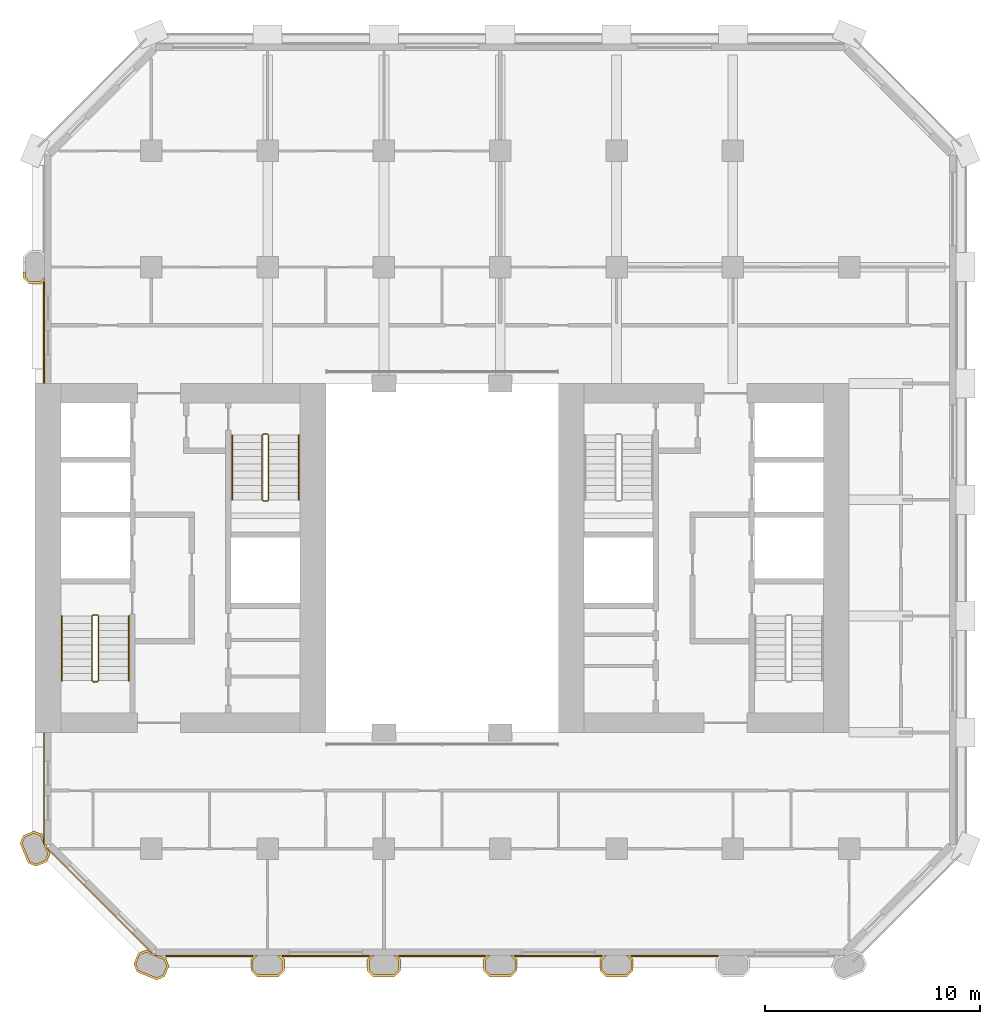
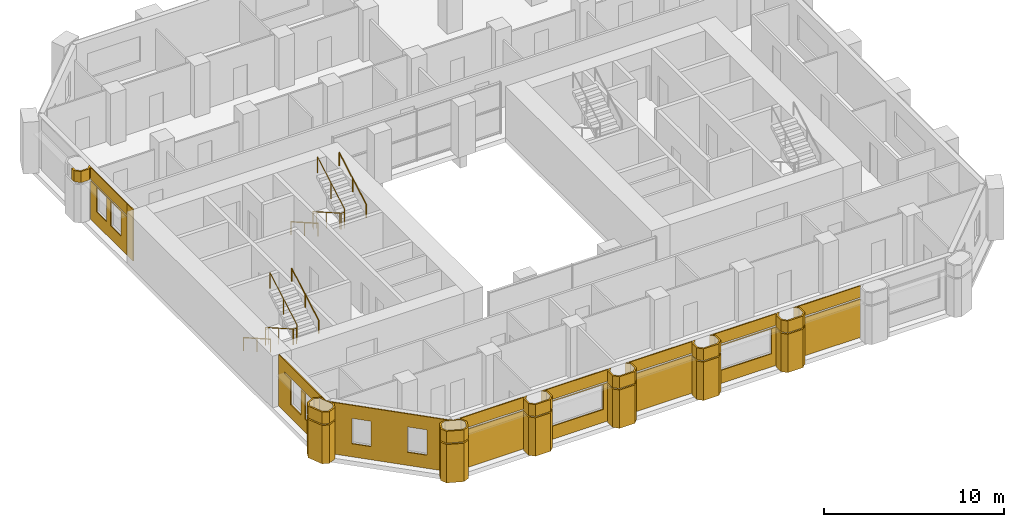
# One storey, part 9 of 11: 28 coverings, 6 railings.
"""IFC4 building model written with IfcOpenShell, lengths in metres."""

from ifc_helpers import new_model, si_unit, direction, frame, frame_2d, origin, origin_2d, place, context, subcontext, project, spatial, polyline, rectangle, circle, outline, extrude, material, layer, layer_set, type_object, element, save


model = new_model("IFC4")

# Units and contexts
model_context = context("Model", 3, precision=1e-05, world=origin(), true_north=direction((0.0, 1.0)))
body_context = subcontext(model_context, "Body", "Model", "MODEL_VIEW")
ifc_project = project(units=[si_unit("LENGTHUNIT", "METRE"), si_unit("AREAUNIT", "SQUARE_METRE"), si_unit("VOLUMEUNIT", "CUBIC_METRE"), si_unit("PLANEANGLEUNIT", "RADIAN"), si_unit("MASSUNIT", "GRAM", prefix="KILO")], contexts=[model_context])

# Site, building, storey
site_placement = place(None, origin())
site = spatial("IfcSite", under=ifc_project, at=site_placement, CompositionType="ELEMENT")
building_placement = place(site_placement, origin())
building = spatial("IfcBuilding", under=site, at=building_placement, Name="Tabaq Tower and Sports Hall", CompositionType="ELEMENT")
storey_placement = place(building_placement, frame((0.0, 0.0, 91.60009765625)))
storey = spatial("IfcBuildingStorey", under=building, at=storey_placement, Name="L21", CompositionType="ELEMENT", Elevation=91.60009765625)

# Coverings
ifc_material_1 = material(Name="Precast concrete C60/75", Category="concrete")
ifc_layer_1 = layer(ifc_material_1, 0.10009765625)
ifc_layer_set_1 = layer_set([ifc_layer_1], Name="Column cladding 100")
covering_type_1 = type_object("IfcCoveringType", Name="Column cladding 100", PredefinedType="CLADDING", material=ifc_layer_set_1)
covering_1_placement = place(storey_placement, origin())
element("IfcCovering", 1, at=covering_1_placement, inside=storey, type_object=covering_type_1, Name="Column cladding L21 PC-2C-O2", PredefinedType="CLADDING", context=body_context, shape_type="SweptSolid", body=[
    extrude(outline(polyline([(5.450439453125, 9.982421875), (5.080078125, 10.1357421875), (4.7041015625, 11.04345703125), (4.857421875, 11.413818359375), (5.349609375, 11.61767578125), (5.7197265625, 11.46435546875), (5.789794921875, 11.295654296875), (5.789794921875, 11.04296875), (5.849609375, 11.04296875), (5.849609375, 10.986083984375), (5.91796875, 10.986083984375), (5.9814453125, 10.83251953125), (5.9501953125, 10.801025390625), (6.026123046875, 10.72509765625), (6.095947265625, 10.556396484375), (5.9423828125, 10.186279296875), (5.450439453125, 9.982421875)]), holes=[polyline([(5.349609375, 11.510009765625), (4.93359375, 11.337646484375), (4.811767578125, 11.04345703125), (5.15625, 10.2119140625), (5.450439453125, 10.08984375), (5.866455078125, 10.26220703125), (5.98828125, 10.556396484375), (5.643798828125, 11.38818359375), (5.349609375, 11.510009765625)])]), origin(), (0.0, 0.0, 1.0), 2.599853515625),
])
covering_2_placement = place(storey_placement, frame((0.0, 0.0, 2.699951171875)))
element("IfcCovering", 2, at=covering_2_placement, inside=storey, type_object=covering_type_1, Name="Column cladding L21 PC-2C-O2 2", PredefinedType="CLADDING", context=body_context, shape_type="SweptSolid", body=[
    extrude(outline(polyline([(5.450439453125, 9.982421875), (5.080078125, 10.1357421875), (4.7041015625, 11.04345703125), (4.857421875, 11.413818359375), (5.349609375, 11.61767578125), (5.7197265625, 11.46435546875), (5.789794921875, 11.295654296875), (5.789794921875, 11.04296875), (5.849609375, 11.04296875), (5.849609375, 10.986083984375), (5.91796875, 10.986083984375), (5.9814453125, 10.83251953125), (5.9501953125, 10.801025390625), (6.026123046875, 10.72509765625), (6.095947265625, 10.556396484375), (5.9423828125, 10.186279296875), (5.450439453125, 9.982421875)]), holes=[polyline([(5.349609375, 11.510009765625), (4.93359375, 11.337646484375), (4.811767578125, 11.04345703125), (5.15625, 10.2119140625), (5.450439453125, 10.08984375), (5.866455078125, 10.26220703125), (5.98828125, 10.556396484375), (5.643798828125, 11.38818359375), (5.349609375, 11.510009765625)])]), origin(), (0.0, 0.0, 1.0), 0.800048828125),
])
covering_3_placement = place(storey_placement, frame((0.0, 0.0, 2.75)))
element("IfcCovering", 3, at=covering_3_placement, inside=storey, type_object=covering_type_1, Name="Column cladding L21 PC-2H-O2 head", PredefinedType="CLADDING", context=body_context, shape_type="SweptSolid", body=[
    extrude(outline(polyline([(4.850341796875, 37.30859375), (4.850341796875, 37.57470703125), (4.94970703125, 37.57470703125), (4.94970703125, 37.349853515625), (5.1748046875, 37.124755859375), (5.625244140625, 37.124755859375), (5.849609375, 37.349365234375), (5.849609375, 37.208740234375), (5.666259765625, 37.025390625), (5.1337890625, 37.025390625), (4.850341796875, 37.30859375)])), origin(), (0.0, 0.0, 1.0), 0.75),
])
covering_4_placement = place(storey_placement, origin())
element("IfcCovering", 4, at=covering_4_placement, inside=storey, type_object=covering_type_1, Name="Column cladding L21 PC-3B-O2", PredefinedType="CLADDING", context=body_context, shape_type="SweptSolid", body=[
    extrude(outline(polyline([(11.413818359375, 4.857421875), (11.04345703125, 4.7041015625), (10.1357421875, 5.080078125), (9.982421875, 5.450439453125), (10.186279296875, 5.9423828125), (10.556396484375, 6.095947265625), (10.72509765625, 6.026123046875), (10.801025390625, 5.9501953125), (10.83251953125, 5.9814453125), (10.986083984375, 5.91796875), (10.986083984375, 5.849609375), (11.15087890625, 5.849609375), (11.46435546875, 5.7197265625), (11.61767578125, 5.349609375), (11.413818359375, 4.857421875)]), holes=[polyline([(10.26220703125, 5.866455078125), (10.08984375, 5.450439453125), (10.2119140625, 5.15625), (11.04345703125, 4.811767578125), (11.337646484375, 4.93359375), (11.510009765625, 5.349609375), (11.38818359375, 5.643798828125), (10.556396484375, 5.98828125), (10.26220703125, 5.866455078125)])]), origin(), (0.0, 0.0, 1.0), 2.599853515625),
])
covering_5_placement = place(storey_placement, frame((0.0, 0.0, 2.699951171875)))
element("IfcCovering", 5, at=covering_5_placement, inside=storey, type_object=covering_type_1, Name="Column cladding L21 PC-3B-O2 2", PredefinedType="CLADDING", context=body_context, shape_type="SweptSolid", body=[
    extrude(outline(polyline([(11.413818359375, 4.857421875), (11.04345703125, 4.7041015625), (10.1357421875, 5.080078125), (9.982421875, 5.450439453125), (10.186279296875, 5.9423828125), (10.556396484375, 6.095947265625), (10.72509765625, 6.026123046875), (10.801025390625, 5.9501953125), (10.83251953125, 5.9814453125), (10.986083984375, 5.91796875), (10.986083984375, 5.849609375), (11.15087890625, 5.849609375), (11.46435546875, 5.7197265625), (11.61767578125, 5.349609375), (11.413818359375, 4.857421875)]), holes=[polyline([(10.26220703125, 5.866455078125), (10.08984375, 5.450439453125), (10.2119140625, 5.15625), (11.04345703125, 4.811767578125), (11.337646484375, 4.93359375), (11.510009765625, 5.349609375), (11.38818359375, 5.643798828125), (10.556396484375, 5.98828125), (10.26220703125, 5.866455078125)])]), origin(), (0.0, 0.0, 1.0), 0.800048828125),
])
covering_6_placement = place(storey_placement, origin())
element("IfcCovering", 6, at=covering_6_placement, inside=storey, type_object=covering_type_1, Name="Column cladding L21 PC-4B-O2", PredefinedType="CLADDING", context=body_context, shape_type="SweptSolid", body=[
    extrude(outline(polyline([(15.42529296875, 5.666259765625), (15.608642578125, 5.849609375), (15.749267578125, 5.849609375), (15.524658203125, 5.625244140625), (15.524658203125, 5.1748046875), (15.749755859375, 4.94970703125), (16.650146484375, 4.94970703125), (16.875244140625, 5.1748046875), (16.875244140625, 5.625244140625), (16.650634765625, 5.849609375), (16.791259765625, 5.849609375), (16.974609375, 5.666259765625), (16.974609375, 5.1337890625), (16.69140625, 4.850341796875), (15.708740234375, 4.850341796875), (15.42529296875, 5.1337890625), (15.42529296875, 5.666259765625)])), origin(), (0.0, 0.0, 1.0), 2.599853515625),
])
covering_7_placement = place(storey_placement, frame((0.0, 0.0, 2.699951171875)))
element("IfcCovering", 7, at=covering_7_placement, inside=storey, type_object=covering_type_1, Name="Column cladding L21 PC-4B-O2 2", PredefinedType="CLADDING", context=body_context, shape_type="SweptSolid", body=[
    extrude(outline(polyline([(15.42529296875, 5.666259765625), (15.608642578125, 5.849609375), (15.749267578125, 5.849609375), (15.524658203125, 5.625244140625), (15.524658203125, 5.1748046875), (15.749755859375, 4.94970703125), (16.650146484375, 4.94970703125), (16.875244140625, 5.1748046875), (16.875244140625, 5.625244140625), (16.650634765625, 5.849609375), (16.791259765625, 5.849609375), (16.974609375, 5.666259765625), (16.974609375, 5.1337890625), (16.69140625, 4.850341796875), (15.708740234375, 4.850341796875), (15.42529296875, 5.1337890625), (15.42529296875, 5.666259765625)])), origin(), (0.0, 0.0, 1.0), 0.800048828125),
])
covering_8_placement = place(storey_placement, origin())
element("IfcCovering", 8, at=covering_8_placement, inside=storey, type_object=covering_type_1, Name="Column cladding L21 PC-5B-O2", PredefinedType="CLADDING", context=body_context, shape_type="SweptSolid", body=[
    extrude(outline(polyline([(20.8251953125, 5.666259765625), (21.0087890625, 5.849609375), (21.149169921875, 5.849609375), (20.9248046875, 5.625244140625), (20.9248046875, 5.1748046875), (21.14990234375, 4.94970703125), (22.050048828125, 4.94970703125), (22.275390625, 5.1748046875), (22.275390625, 5.625244140625), (22.05078125, 5.849609375), (22.19140625, 5.849609375), (22.374755859375, 5.666259765625), (22.374755859375, 5.1337890625), (22.09130859375, 4.850341796875), (21.108642578125, 4.850341796875), (20.8251953125, 5.1337890625), (20.8251953125, 5.666259765625)])), origin(), (0.0, 0.0, 1.0), 2.599853515625),
])
covering_9_placement = place(storey_placement, frame((0.0, 0.0, 2.699951171875)))
element("IfcCovering", 9, at=covering_9_placement, inside=storey, type_object=covering_type_1, Name="Column cladding L21 PC-5B-O2 2", PredefinedType="CLADDING", context=body_context, shape_type="SweptSolid", body=[
    extrude(outline(polyline([(20.8251953125, 5.666259765625), (21.0087890625, 5.849609375), (21.149169921875, 5.849609375), (20.9248046875, 5.625244140625), (20.9248046875, 5.1748046875), (21.14990234375, 4.94970703125), (22.050048828125, 4.94970703125), (22.275390625, 5.1748046875), (22.275390625, 5.625244140625), (22.05078125, 5.849609375), (22.19140625, 5.849609375), (22.374755859375, 5.666259765625), (22.374755859375, 5.1337890625), (22.09130859375, 4.850341796875), (21.108642578125, 4.850341796875), (20.8251953125, 5.1337890625), (20.8251953125, 5.666259765625)])), origin(), (0.0, 0.0, 1.0), 0.800048828125),
])
covering_10_placement = place(storey_placement, origin())
element("IfcCovering", 10, at=covering_10_placement, inside=storey, type_object=covering_type_1, Name="Column cladding L21 PC-6B-O2", PredefinedType="CLADDING", context=body_context, shape_type="SweptSolid", body=[
    extrude(outline(polyline([(26.225341796875, 5.666259765625), (26.40869140625, 5.849609375), (26.54931640625, 5.849609375), (26.32470703125, 5.625244140625), (26.32470703125, 5.1748046875), (26.5498046875, 4.94970703125), (27.4501953125, 4.94970703125), (27.67529296875, 5.1748046875), (27.67529296875, 5.625244140625), (27.45068359375, 5.849609375), (27.59130859375, 5.849609375), (27.774658203125, 5.666259765625), (27.774658203125, 5.1337890625), (27.4912109375, 4.850341796875), (26.5087890625, 4.850341796875), (26.225341796875, 5.1337890625), (26.225341796875, 5.666259765625)])), origin(), (0.0, 0.0, 1.0), 2.599853515625),
])
covering_11_placement = place(storey_placement, frame((0.0, 0.0, 2.699951171875)))
element("IfcCovering", 11, at=covering_11_placement, inside=storey, type_object=covering_type_1, Name="Column cladding L21 PC-6B-O2 2", PredefinedType="CLADDING", context=body_context, shape_type="SweptSolid", body=[
    extrude(outline(polyline([(26.225341796875, 5.666259765625), (26.40869140625, 5.849609375), (26.54931640625, 5.849609375), (26.32470703125, 5.625244140625), (26.32470703125, 5.1748046875), (26.5498046875, 4.94970703125), (27.4501953125, 4.94970703125), (27.67529296875, 5.1748046875), (27.67529296875, 5.625244140625), (27.45068359375, 5.849609375), (27.59130859375, 5.849609375), (27.774658203125, 5.666259765625), (27.774658203125, 5.1337890625), (27.4912109375, 4.850341796875), (26.5087890625, 4.850341796875), (26.225341796875, 5.1337890625), (26.225341796875, 5.666259765625)])), origin(), (0.0, 0.0, 1.0), 0.800048828125),
])
covering_12_placement = place(storey_placement, origin())
element("IfcCovering", 12, at=covering_12_placement, inside=storey, type_object=covering_type_1, Name="Column cladding L21 PC-7B-O2", PredefinedType="CLADDING", context=body_context, shape_type="SweptSolid", body=[
    extrude(outline(polyline([(31.625244140625, 5.666259765625), (31.80859375, 5.849609375), (31.94921875, 5.849609375), (31.724609375, 5.625244140625), (31.724609375, 5.1748046875), (31.949951171875, 4.94970703125), (32.85009765625, 4.94970703125), (33.0751953125, 5.1748046875), (33.0751953125, 5.625244140625), (32.850830078125, 5.849609375), (32.9912109375, 5.849609375), (33.1748046875, 5.666259765625), (33.1748046875, 5.1337890625), (32.891357421875, 4.850341796875), (31.90869140625, 4.850341796875), (31.625244140625, 5.1337890625), (31.625244140625, 5.666259765625)])), origin(), (0.0, 0.0, 1.0), 2.599853515625),
])
covering_13_placement = place(storey_placement, frame((0.0, 0.0, 2.699951171875)))
element("IfcCovering", 13, at=covering_13_placement, inside=storey, type_object=covering_type_1, Name="Column cladding L21 PC-7B-O2 2", PredefinedType="CLADDING", context=body_context, shape_type="SweptSolid", body=[
    extrude(outline(polyline([(31.625244140625, 5.666259765625), (31.80859375, 5.849609375), (31.94921875, 5.849609375), (31.724609375, 5.625244140625), (31.724609375, 5.1748046875), (31.949951171875, 4.94970703125), (32.85009765625, 4.94970703125), (33.0751953125, 5.1748046875), (33.0751953125, 5.625244140625), (32.850830078125, 5.849609375), (32.9912109375, 5.849609375), (33.1748046875, 5.666259765625), (33.1748046875, 5.1337890625), (32.891357421875, 4.850341796875), (31.90869140625, 4.850341796875), (31.625244140625, 5.1337890625), (31.625244140625, 5.666259765625)])), origin(), (0.0, 0.0, 1.0), 0.800048828125),
])

# Railings
ifc_material_2 = material(Name="Stainless steel", Category="steel")
railing_type_1 = type_object("IfcRailingType", Name="Stair guard", PredefinedType="GUARDRAIL", material=ifc_material_2)
railing_1_placement = place(storey_placement, frame((8.300048828125, 21.64990234375, 0.0)))
element("IfcRailing", 14, at=railing_1_placement, inside=storey, type_object=railing_type_1, Name="L21 ST1 stair guard 1", PredefinedType="GUARDRAIL", context=body_context, shape_type="SweptSolid", body=[
    extrude(circle(Radius=0.02392578125, at=origin_2d()), frame((0.0, 0.0, 1.076171875), z_axis=(-1.0, 0.0, 0.0), x_axis=(0.0, -1.0, 0.0)), (0.0, 0.0, 1.0), 0.199951171875),
    extrude(circle(Radius=0.02392578125, at=origin_2d()), frame((-0.199951171875, 0.0, 1.076171875), z_axis=(-0.246983470365, -0.245778672949, 0.937332389972), x_axis=(0.705375805398, -0.708833529934, 0.0)), (0.0, 0.0, 1.0), 0.20263671875),
    extrude(circle(Radius=0.02392578125, at=origin_2d()), frame((-0.25, -0.0498046875, 1.26611328125), z_axis=(0.0, -0.868782136927, 0.495194505781), x_axis=(1.0, 0.0, 0.0)), (0.0, 0.0, 1.0), 3.453125),
    extrude(circle(Radius=0.02392578125, at=origin_2d()), frame((-0.25, -3.0498046875, 2.97607421875), z_axis=(0.707106781187, -0.707106781187, 0.0), x_axis=(0.707106781187, 0.707106781187, 0.0)), (0.0, 0.0, 1.0), 0.07080078125),
    extrude(circle(Radius=0.02392578125, at=origin_2d()), frame((-0.199951171875, -3.099853515625, 2.97607421875), z_axis=(1.0, 0.0, 0.0), x_axis=(0.0, 1.0, 0.0)), (0.0, 0.0, 1.0), 0.199951171875),
    extrude(circle(Radius=0.02392578125, at=origin_2d()), frame((0.0, -3.099853515625, 2.97607421875), z_axis=(0.246910188598, 0.246910188598, 0.937054276727), x_axis=(-0.707106781187, 0.707106781187, 0.0)), (0.0, 0.0, 1.0), 0.20263671875),
    extrude(circle(Radius=0.02392578125, at=origin_2d()), frame((0.050048828125, -3.0498046875, 3.166015625), z_axis=(0.0, 0.868782136927, 0.495194505781), x_axis=(-1.0, 0.0, 0.0)), (0.0, 0.0, 1.0), 3.453125),
    extrude(circle(Radius=0.02099609375, at=origin_2d()), origin(), (0.0, 0.0, 1.0), 1.052001953125),
    extrude(circle(Radius=0.02099609375, at=origin_2d()), frame((-0.199951171875, 0.0, 0.0)), (0.0, 0.0, 1.0), 1.052001953125),
    extrude(circle(Radius=0.02099609375, at=origin_2d()), frame((-0.25, -0.0498046875, 0.18994140625)), (0.0, 0.0, 1.0), 1.052001953125),
    extrude(circle(Radius=0.02099609375, at=origin_2d()), frame((-0.25, -1.5498046875, 1.044921875)), (0.0, 0.0, 1.0), 1.052001953125),
    extrude(circle(Radius=0.02099609375, at=origin_2d()), frame((-0.25, -3.0498046875, 1.89990234375)), (0.0, 0.0, 1.0), 1.052001953125),
    extrude(circle(Radius=0.02099609375, at=origin_2d()), frame((-0.199951171875, -3.099853515625, 1.89990234375)), (0.0, 0.0, 1.0), 1.052001953125),
    extrude(circle(Radius=0.02099609375, at=origin_2d()), frame((0.0, -3.099853515625, 1.89990234375)), (0.0, 0.0, 1.0), 1.052001953125),
    extrude(circle(Radius=0.02099609375, at=origin_2d()), frame((0.050048828125, -3.0498046875, 2.08984375)), (0.0, 0.0, 1.0), 1.052001953125),
    extrude(circle(Radius=0.02099609375, at=origin_2d()), frame((0.050048828125, -1.5498046875, 2.94482421875)), (0.0, 0.0, 1.0), 1.052001953125),
    extrude(circle(Radius=0.02099609375, at=origin_2d()), frame((0.050048828125, -0.0498046875, 3.7998046875)), (0.0, 0.0, 1.0), 1.052001953125),
])
railing_2_placement = place(storey_placement, frame((16.199951171875, 30.050048828125, 0.0)))
element("IfcRailing", 15, at=railing_2_placement, inside=storey, type_object=railing_type_1, Name="L21 ST2 stair guard 1", PredefinedType="GUARDRAIL", context=body_context, shape_type="SweptSolid", body=[
    extrude(circle(Radius=0.02392578125, at=origin_2d()), frame((0.0, 0.0, 1.076171875), z_axis=(-1.0, 0.0, 0.0), x_axis=(0.0, -1.0, 0.0)), (0.0, 0.0, 1.0), 0.199951171875),
    extrude(circle(Radius=0.02392578125, at=origin_2d()), frame((-0.199951171875, 0.0, 1.076171875), z_axis=(-0.246910188598, -0.246910188598, 0.937054276727), x_axis=(0.707106781187, -0.707106781187, 0.0)), (0.0, 0.0, 1.0), 0.20263671875),
    extrude(circle(Radius=0.02392578125, at=origin_2d()), frame((-0.25, -0.050048828125, 1.26611328125), z_axis=(0.0, -0.868782136927, 0.495194505781), x_axis=(1.0, 0.0, 0.0)), (0.0, 0.0, 1.0), 3.453125),
    extrude(circle(Radius=0.02392578125, at=origin_2d()), frame((-0.25, -3.050048828125, 2.97607421875), z_axis=(0.707106781187, -0.707106781187, 0.0), x_axis=(0.707106781187, 0.707106781187, 0.0)), (0.0, 0.0, 1.0), 0.07080078125),
    extrude(circle(Radius=0.02392578125, at=origin_2d()), frame((-0.199951171875, -3.10009765625, 2.97607421875), z_axis=(1.0, 0.0, 0.0), x_axis=(0.0, 1.0, 0.0)), (0.0, 0.0, 1.0), 0.199951171875),
    extrude(circle(Radius=0.02392578125, at=origin_2d()), frame((0.0, -3.10009765625, 2.97607421875), z_axis=(0.246910188598, 0.246910188598, 0.937054276727), x_axis=(-0.707106781187, 0.707106781187, 0.0)), (0.0, 0.0, 1.0), 0.20263671875),
    extrude(circle(Radius=0.02392578125, at=origin_2d()), frame((0.050048828125, -3.050048828125, 3.166015625), z_axis=(0.0, 0.868782136927, 0.495194505781), x_axis=(-1.0, 0.0, 0.0)), (0.0, 0.0, 1.0), 3.453125),
    extrude(circle(Radius=0.02099609375, at=origin_2d()), origin(), (0.0, 0.0, 1.0), 1.052001953125),
    extrude(circle(Radius=0.02099609375, at=origin_2d()), frame((-0.199951171875, 0.0, 0.0)), (0.0, 0.0, 1.0), 1.052001953125),
    extrude(circle(Radius=0.02099609375, at=origin_2d()), frame((-0.25, -0.050048828125, 0.18994140625)), (0.0, 0.0, 1.0), 1.052001953125),
    extrude(circle(Radius=0.02099609375, at=origin_2d()), frame((-0.25, -1.550048828125, 1.044921875)), (0.0, 0.0, 1.0), 1.052001953125),
    extrude(circle(Radius=0.02099609375, at=origin_2d()), frame((-0.25, -3.050048828125, 1.89990234375)), (0.0, 0.0, 1.0), 1.052001953125),
    extrude(circle(Radius=0.02099609375, at=origin_2d()), frame((-0.199951171875, -3.10009765625, 1.89990234375)), (0.0, 0.0, 1.0), 1.052001953125),
    extrude(circle(Radius=0.02099609375, at=origin_2d()), frame((0.0, -3.10009765625, 1.89990234375)), (0.0, 0.0, 1.0), 1.052001953125),
    extrude(circle(Radius=0.02099609375, at=origin_2d()), frame((0.050048828125, -3.050048828125, 2.08984375)), (0.0, 0.0, 1.0), 1.052001953125),
    extrude(circle(Radius=0.02099609375, at=origin_2d()), frame((0.050048828125, -1.550048828125, 2.94482421875)), (0.0, 0.0, 1.0), 1.052001953125),
    extrude(circle(Radius=0.02099609375, at=origin_2d()), frame((0.050048828125, -0.050048828125, 3.7998046875)), (0.0, 0.0, 1.0), 1.052001953125),
])
ifc_material_3 = material(Name="Stainless steel", Category="steel")
railing_type_2 = type_object("IfcRailingType", Name="Stair handrail", PredefinedType="HANDRAIL", material=ifc_material_3)
railing_3_placement = place(storey_placement, frame((6.64990234375, 21.60009765625, 0.18994140625)))
element("IfcRailing", 16, at=railing_3_placement, inside=storey, type_object=railing_type_2, Name="L21 ST1 stair handrail 1", PredefinedType="HANDRAIL", context=body_context, shape_type="SweptSolid", body=[
    extrude(circle(Radius=0.02392578125, at=origin_2d()), frame((0.0, 0.0, 0.8759765625), z_axis=(0.0, -0.868782136927, 0.495194505781), x_axis=(1.0, 0.0, 0.0)), (0.0, 0.0, 1.0), 3.453125),
    extrude(circle(Radius=0.02099609375, at=origin_2d()), origin(), (0.0, 0.0, 1.0), 0.851806640625),
    extrude(circle(Radius=0.02099609375, at=origin_2d()), frame((0.0, -1.5, 0.85498046875)), (0.0, 0.0, 1.0), 0.851806640625),
    extrude(circle(Radius=0.02099609375, at=origin_2d()), frame((0.0, -3.0, 1.7099609375)), (0.0, 0.0, 1.0), 0.851806640625),
])
railing_4_placement = place(storey_placement, frame((9.75, 18.60009765625, 2.08984375)))
element("IfcRailing", 17, at=railing_4_placement, inside=storey, type_object=railing_type_2, Name="L21 ST1 stair handrail 2", PredefinedType="HANDRAIL", context=body_context, shape_type="SweptSolid", body=[
    extrude(circle(Radius=0.02392578125, at=origin_2d()), frame((0.0, 0.0, 0.8759765625), z_axis=(0.0, 0.868782136927, 0.495194505781), x_axis=(-1.0, 0.0, 0.0)), (0.0, 0.0, 1.0), 3.453125),
    extrude(circle(Radius=0.02099609375, at=origin_2d()), origin(), (0.0, 0.0, 1.0), 0.851806640625),
    extrude(circle(Radius=0.02099609375, at=origin_2d()), frame((0.0, 1.5, 0.85498046875)), (0.0, 0.0, 1.0), 0.851806640625),
    extrude(circle(Radius=0.02099609375, at=origin_2d()), frame((0.0, 3.0, 1.7099609375)), (0.0, 0.0, 1.0), 0.851806640625),
])
railing_5_placement = place(storey_placement, frame((14.550048828125, 30.0, 0.18994140625)))
element("IfcRailing", 18, at=railing_5_placement, inside=storey, type_object=railing_type_2, Name="L21 ST2 stair handrail 1", PredefinedType="HANDRAIL", context=body_context, shape_type="SweptSolid", body=[
    extrude(circle(Radius=0.02392578125, at=origin_2d()), frame((0.0, 0.0, 0.8759765625), z_axis=(0.0, -0.868782136927, 0.495194505781), x_axis=(1.0, 0.0, 0.0)), (0.0, 0.0, 1.0), 3.453125),
    extrude(circle(Radius=0.02099609375, at=origin_2d()), origin(), (0.0, 0.0, 1.0), 0.851806640625),
    extrude(circle(Radius=0.02099609375, at=origin_2d()), frame((0.0, -1.5, 0.85498046875)), (0.0, 0.0, 1.0), 0.851806640625),
    extrude(circle(Radius=0.02099609375, at=origin_2d()), frame((0.0, -3.0, 1.7099609375)), (0.0, 0.0, 1.0), 0.851806640625),
])
railing_6_placement = place(storey_placement, frame((17.64990234375, 27.0, 2.08984375)))
element("IfcRailing", 19, at=railing_6_placement, inside=storey, type_object=railing_type_2, Name="L21 ST2 stair handrail 2", PredefinedType="HANDRAIL", context=body_context, shape_type="SweptSolid", body=[
    extrude(circle(Radius=0.02392578125, at=origin_2d()), frame((0.0, 0.0, 0.8759765625), z_axis=(0.0, 0.868782136927, 0.495194505781), x_axis=(-1.0, 0.0, 0.0)), (0.0, 0.0, 1.0), 3.453125),
    extrude(circle(Radius=0.02099609375, at=origin_2d()), origin(), (0.0, 0.0, 1.0), 0.851806640625),
    extrude(circle(Radius=0.02099609375, at=origin_2d()), frame((0.0, 1.5, 0.85498046875)), (0.0, 0.0, 1.0), 0.851806640625),
    extrude(circle(Radius=0.02099609375, at=origin_2d()), frame((0.0, 3.0, 1.7099609375)), (0.0, 0.0, 1.0), 0.851806640625),
])

# Coverings
ifc_material_4 = material(Name="Precast concrete C60/75", Category="concrete")
ifc_layer_2 = layer(ifc_material_4, 0.06005859375)
ifc_layer_set_2 = layer_set([ifc_layer_2], Name="White precast cladding panel 60 C60/75")
covering_type_2 = type_object("IfcCoveringType", Name="White precast cladding panel 60 C60/75", PredefinedType="CLADDING", material=ifc_layer_set_2)
covering_14_placement = place(storey_placement, frame((11.465087890625, 5.820068359375, 0.0), z_axis=(0.0, 0.0, 1.0), x_axis=(1.0, 0.0, 0.0)))
element("IfcCovering", 20, at=covering_14_placement, inside=storey, type_object=covering_type_2, Name="White precast cladding panel L21 wall00", PredefinedType="CLADDING", context=body_context, shape_type="SweptSolid", body=[
    extrude(rectangle(XDim=4.0498046875, YDim=0.06005859375, at=frame_2d((2.02490234375, 0.0))), origin(), (0.0, 0.0, 1.0), 2.58984375),
])
covering_15_placement = place(storey_placement, frame((11.465087890625, 5.820068359375, 2.7099609375), z_axis=(0.0, 0.0, 1.0), x_axis=(1.0, 0.0, 0.0)))
element("IfcCovering", 21, at=covering_15_placement, inside=storey, type_object=covering_type_2, Name="White precast cladding panel L21 wall00 2", PredefinedType="CLADDING", context=body_context, shape_type="SweptSolid", body=[
    extrude(rectangle(XDim=4.0498046875, YDim=0.06005859375, at=frame_2d((2.02490234375, 0.0))), origin(), (0.0, 0.0, 1.0), 0.7900390625),
])
covering_16_placement = place(storey_placement, frame((16.885009765625, 5.820068359375, 0.0), z_axis=(0.0, 0.0, 1.0), x_axis=(1.0, 0.0, 0.0)))
element("IfcCovering", 22, at=covering_16_placement, inside=storey, type_object=covering_type_2, Name="White precast cladding panel L21 wall00 3", PredefinedType="CLADDING", context=body_context, shape_type="SweptSolid", body=[
    extrude(outline(polyline([(0.0, 0.0), (4.030029296875, 0.0), (4.030029296875, 2.58984375), (0.0, 2.58984375), (0.0, 0.0)]), holes=[polyline([(3.72509765625, 0.889892578125), (0.304931640625, 0.889892578125), (0.304931640625, 2.559814453125), (3.72509765625, 2.559814453125), (3.72509765625, 0.889892578125)])]), frame((0.0, 0.030029296875, 0.0), z_axis=(0.0, -1.0, 0.0), x_axis=(1.0, 0.0, 0.0)), (0.0, 0.0, 1.0), 0.06005859375),
])
covering_17_placement = place(storey_placement, frame((16.885009765625, 5.820068359375, 2.7099609375), z_axis=(0.0, 0.0, 1.0), x_axis=(1.0, 0.0, 0.0)))
element("IfcCovering", 23, at=covering_17_placement, inside=storey, type_object=covering_type_2, Name="White precast cladding panel L21 wall00 4", PredefinedType="CLADDING", context=body_context, shape_type="SweptSolid", body=[
    extrude(rectangle(XDim=4.030029296875, YDim=0.06005859375, at=frame_2d((2.01513671875, 0.0))), origin(), (0.0, 0.0, 1.0), 0.7900390625),
])
covering_18_placement = place(storey_placement, frame((22.284912109375, 5.820068359375, 0.0), z_axis=(0.0, 0.0, 1.0), x_axis=(1.0, 0.0, 0.0)))
element("IfcCovering", 24, at=covering_18_placement, inside=storey, type_object=covering_type_2, Name="White precast cladding panel L21 wall00 5", PredefinedType="CLADDING", context=body_context, shape_type="SweptSolid", body=[
    extrude(rectangle(XDim=4.030029296875, YDim=0.06005859375, at=frame_2d((2.01513671875, 0.0))), origin(), (0.0, 0.0, 1.0), 2.58984375),
])
covering_19_placement = place(storey_placement, frame((22.284912109375, 5.820068359375, 2.7099609375), z_axis=(0.0, 0.0, 1.0), x_axis=(1.0, 0.0, 0.0)))
element("IfcCovering", 25, at=covering_19_placement, inside=storey, type_object=covering_type_2, Name="White precast cladding panel L21 wall00 6", PredefinedType="CLADDING", context=body_context, shape_type="SweptSolid", body=[
    extrude(rectangle(XDim=4.030029296875, YDim=0.06005859375, at=frame_2d((2.01513671875, 0.0))), origin(), (0.0, 0.0, 1.0), 0.7900390625),
])
covering_20_placement = place(storey_placement, frame((27.68505859375, 5.820068359375, 0.0), z_axis=(0.0, 0.0, 1.0), x_axis=(1.0, 0.0, 0.0)))
element("IfcCovering", 26, at=covering_20_placement, inside=storey, type_object=covering_type_2, Name="White precast cladding panel L21 wall00 7", PredefinedType="CLADDING", context=body_context, shape_type="SweptSolid", body=[
    extrude(outline(polyline([(0.0, 0.0), (4.030029296875, 0.0), (4.030029296875, 2.58984375), (0.0, 2.58984375), (0.0, 0.0)]), holes=[polyline([(3.72509765625, 0.889892578125), (0.304931640625, 0.889892578125), (0.304931640625, 2.559814453125), (3.72509765625, 2.559814453125), (3.72509765625, 0.889892578125)])]), frame((0.0, 0.030029296875, 0.0), z_axis=(0.0, -1.0, 0.0), x_axis=(1.0, 0.0, 0.0)), (0.0, 0.0, 1.0), 0.06005859375),
])
covering_21_placement = place(storey_placement, frame((27.68505859375, 5.820068359375, 2.7099609375), z_axis=(0.0, 0.0, 1.0), x_axis=(1.0, 0.0, 0.0)))
element("IfcCovering", 27, at=covering_21_placement, inside=storey, type_object=covering_type_2, Name="White precast cladding panel L21 wall00 8", PredefinedType="CLADDING", context=body_context, shape_type="SweptSolid", body=[
    extrude(rectangle(XDim=4.030029296875, YDim=0.06005859375, at=frame_2d((2.01513671875, 0.0))), origin(), (0.0, 0.0, 1.0), 0.7900390625),
])
covering_22_placement = place(storey_placement, frame((33.0849609375, 5.820068359375, 0.0), z_axis=(0.0, 0.0, 1.0), x_axis=(1.0, 0.0, 0.0)))
element("IfcCovering", 28, at=covering_22_placement, inside=storey, type_object=covering_type_2, Name="White precast cladding panel L21 wall00 9", PredefinedType="CLADDING", context=body_context, shape_type="SweptSolid", body=[
    extrude(rectangle(XDim=4.030029296875, YDim=0.06005859375, at=frame_2d((2.01513671875, 0.0))), origin(), (0.0, 0.0, 1.0), 2.58984375),
])
covering_23_placement = place(storey_placement, frame((33.0849609375, 5.820068359375, 2.7099609375), z_axis=(0.0, 0.0, 1.0), x_axis=(1.0, 0.0, 0.0)))
element("IfcCovering", 29, at=covering_23_placement, inside=storey, type_object=covering_type_2, Name="White precast cladding panel L21 wall00 10", PredefinedType="CLADDING", context=body_context, shape_type="SweptSolid", body=[
    extrude(rectangle(XDim=4.030029296875, YDim=0.06005859375, at=frame_2d((2.01513671875, 0.0))), origin(), (0.0, 0.0, 1.0), 0.7900390625),
])
covering_24_placement = place(storey_placement, frame((5.820068359375, 37.114990234375, 0.0), z_axis=(0.0, 0.0, 1.0), x_axis=(0.0, -1.0, 0.0)))
element("IfcCovering", 30, at=covering_24_placement, inside=storey, type_object=covering_type_2, Name="White precast cladding panel L21 wall06 3", PredefinedType="CLADDING", context=body_context, shape_type="SweptSolid", body=[
    extrude(outline(polyline([(0.0, 0.0), (4.050048828125, 0.0), (4.050048828125, 2.58984375), (0.0, 2.58984375), (0.0, 0.0)]), holes=[polyline([(0.655029296875, 0.889892578125), (0.655029296875, 2.559814453125), (1.77490234375, 2.559814453125), (1.77490234375, 0.889892578125), (0.655029296875, 0.889892578125)]), polyline([(2.2548828125, 0.889892578125), (2.2548828125, 2.559814453125), (3.375, 2.559814453125), (3.375, 0.889892578125), (2.2548828125, 0.889892578125)])]), frame((0.0, 0.030029296875, 0.0), z_axis=(0.0, -1.0, 0.0), x_axis=(1.0, 0.0, 0.0)), (0.0, 0.0, 1.0), 0.06005859375),
])
covering_25_placement = place(storey_placement, frame((5.820068359375, 37.114990234375, 2.7099609375), z_axis=(0.0, 0.0, 1.0), x_axis=(0.0, -1.0, 0.0)))
element("IfcCovering", 31, at=covering_25_placement, inside=storey, type_object=covering_type_2, Name="White precast cladding panel L21 wall06 4", PredefinedType="CLADDING", context=body_context, shape_type="SweptSolid", body=[
    extrude(rectangle(XDim=4.050048828125, YDim=0.06005859375, at=frame_2d((2.02490234375, 0.0))), origin(), (0.0, 0.0, 1.0), 0.7900390625),
])
covering_26_placement = place(storey_placement, frame((5.820068359375, 33.06494140625, 0.0), z_axis=(0.0, 0.0, 1.0), x_axis=(0.0, -1.0, 0.0)))
element("IfcCovering", 32, at=covering_26_placement, inside=storey, type_object=covering_type_2, Name="White precast cladding panel L21 wall06 5", PredefinedType="CLADDING", context=body_context, shape_type="SweptSolid", body=[
    extrude(rectangle(XDim=0.6650390625, YDim=0.06005859375, at=frame_2d((0.33251953125, 0.0))), origin(), (0.0, 0.0, 1.0), 3.5),
])
covering_27_placement = place(storey_placement, frame((5.820068359375, 16.199951171875, 0.0), z_axis=(0.0, 0.0, 1.0), x_axis=(0.0, -1.0, 0.0)))
element("IfcCovering", 33, at=covering_27_placement, inside=storey, type_object=covering_type_2, Name="White precast cladding panel L21 wall06-1", PredefinedType="CLADDING", context=body_context, shape_type="SweptSolid", body=[
    extrude(outline(polyline([(0.0, 0.0), (5.15673828125, 0.0), (5.15673828125, 3.5), (0.0, 3.5), (0.0, 0.0)]), holes=[polyline([(1.340087890625, 2.58984375), (0.6650390625, 2.58984375), (0.6650390625, 2.7099609375), (4.735107421875, 2.7099609375), (4.735107421875, 2.58984375), (4.06005859375, 2.58984375), (4.06005859375, 0.889892578125), (2.93994140625, 0.889892578125), (2.93994140625, 2.58984375), (2.4599609375, 2.58984375), (2.4599609375, 0.889892578125), (1.340087890625, 0.889892578125), (1.340087890625, 2.58984375)])]), frame((0.0, 0.030029296875, 0.0), z_axis=(0.0, -1.0, 0.0), x_axis=(1.0, 0.0, 0.0)), (0.0, 0.0, 1.0), 0.06005859375),
])
covering_28_placement = place(storey_placement, frame((5.9716796875, 10.822265625, 0.0), z_axis=(0.0, 0.0, 1.0), x_axis=(0.707106781187, -0.707106781187, 0.0)))
element("IfcCovering", 34, at=covering_28_placement, inside=storey, type_object=covering_type_2, Name="White precast cladding panel L21 wall07", PredefinedType="CLADDING", context=body_context, shape_type="SweptSolid", body=[
    extrude(outline(polyline([(0.0, 0.0), (6.85986328125, 0.0), (6.85986328125, 3.5), (0.0, 3.5), (0.0, 0.0)]), holes=[polyline([(1.269775390625, 2.60986328125), (2.389892578125, 2.60986328125), (2.389892578125, 0.889892578125), (1.269775390625, 0.889892578125), (1.269775390625, 2.60986328125)]), polyline([(4.4697265625, 2.60986328125), (5.58984375, 2.60986328125), (5.58984375, 0.889892578125), (4.4697265625, 0.889892578125), (4.4697265625, 2.60986328125)])]), frame((0.0, 0.030029296875, 0.0), z_axis=(0.0, -1.0, 0.0), x_axis=(1.0, 0.0, 0.0)), (0.0, 0.0, 1.0), 0.06005859375),
])

save(model, "model.ifc")
